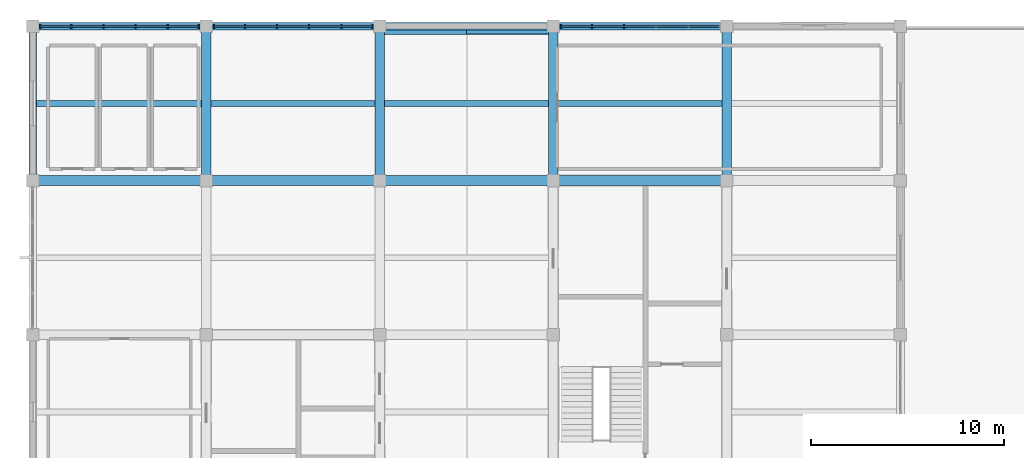
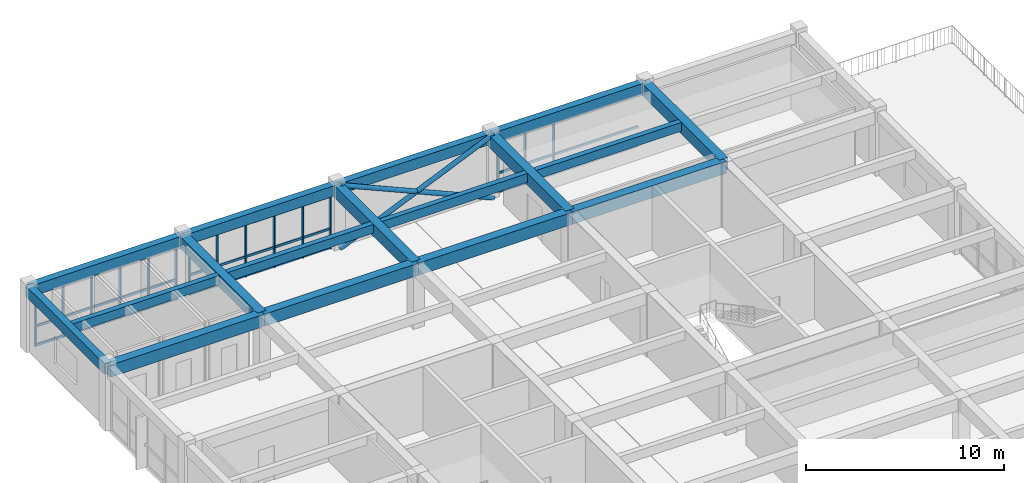
# One storey, part 5 of 12: 26 members, 17 beams, 3 elements without a shape of their own.
"""IFC4 building model written with IfcOpenShell, lengths in metres."""

import ifcopenshell
import ifcopenshell.guid

model = None  # the IFC model being written
_history = None  # IfcOwnerHistory: only IFC2X3 demands one
_inside = {}  # id of a spatial element -> (the spatial element, [elements in it])
_under = {}  # id of a project, library or spatial element -> (it, [spatial elements below it])
_declared = {}  # id of a project -> (the project, [libraries it declares])
_typed = {}  # id of a type object -> (the type object, [elements of that type])
_made_of = {}  # id of a material, layer set ... -> (it, [elements and type objects made of it])


def new_model(schema):
    """Start an empty IFC model of exactly this schema.

    Asked for "IFC4X3", IfcOpenShell would pick the latest addendum, in which some entities
    have other attributes; the version numbers below select the first issue.
    IFC2X3 requires an IfcOwnerHistory on every rooted entity: one is made here for all.
    """
    global model, _history
    if schema == "IFC4X3":
        model = ifcopenshell.file(schema_version=(4, 3, 0, 0))
    else:
        model = ifcopenshell.file(schema=schema)
    _inside.clear()
    _under.clear()
    _declared.clear()
    _typed.clear()
    _made_of.clear()
    _history = None
    if model.schema == "IFC2X3":
        org = make("IfcOrganization", Name="unknown")
        user = make(
            "IfcPersonAndOrganization",
            ThePerson=make("IfcPerson", FamilyName="unknown"),
            TheOrganization=org,
        )
        app = make(
            "IfcApplication",
            ApplicationDeveloper=org,
            Version="unknown",
            ApplicationFullName="unknown",
            ApplicationIdentifier="unknown",
        )
        _history = make(
            "IfcOwnerHistory",
            OwningUser=user,
            OwningApplication=app,
            ChangeAction="ADDED",
            CreationDate=0,
        )
    return model


def make(cls, **values):
    """One entity of the class cls with the attributes given. An attribute that is None is left unset."""
    return model.create_entity(
        cls, **{name: value for name, value in values.items() if value is not None}
    )


def rooted(cls, **values):
    """An entity with a GlobalId (a new one), such as an element, a storey or a relation."""
    return make(cls, GlobalId=ifcopenshell.guid.new(), OwnerHistory=_history, **values)


def si_unit(unit_type, name, prefix=None):
    """IfcSIUnit, for example si_unit("LENGTHUNIT", "METRE", prefix="MILLI")."""
    return make("IfcSIUnit", UnitType=unit_type, Prefix=prefix, Name=name)


def assignment(units):
    """IfcUnitAssignment: the units of a project."""
    return None if units is None else make("IfcUnitAssignment", Units=units)


def point(xyz):
    """IfcCartesianPoint."""
    return None if xyz is None else make("IfcCartesianPoint", Coordinates=xyz)


def direction(xyz):
    """IfcDirection."""
    return None if xyz is None else make("IfcDirection", DirectionRatios=xyz)


def frame(location, z_axis=None, x_axis=None):
    """IfcAxis2Placement3D, a coordinate frame: its origin and axes. An axis left out is left unset."""
    return make(
        "IfcAxis2Placement3D",
        Location=point(location),
        Axis=direction(z_axis),
        RefDirection=direction(x_axis),
    )


def frame_2d(location, x_axis=None):
    """IfcAxis2Placement2D, a coordinate frame in the plane: its origin and x axis."""
    return make(
        "IfcAxis2Placement2D", Location=point(location), RefDirection=direction(x_axis)
    )


def origin():
    """The frame at (0, 0, 0) with its axes left unset."""
    return frame((0.0, 0.0, 0.0))


def origin_2d():
    """The frame at (0, 0) in the plane with its x axis left unset."""
    return frame_2d((0.0, 0.0))


def place(relative_to, where):
    """IfcLocalPlacement: puts the frame where relative to a parent placement (None: the world)."""
    return make(
        "IfcLocalPlacement", PlacementRelTo=relative_to, RelativePlacement=where
    )


def context(
    kind, dimensions, precision=None, world=None, true_north=None, identifier=None
):
    """IfcGeometricRepresentationContext, for example the 3D "Model" context."""
    return make(
        "IfcGeometricRepresentationContext",
        ContextIdentifier=identifier,
        ContextType=kind,
        CoordinateSpaceDimension=dimensions,
        Precision=precision,
        WorldCoordinateSystem=world,
        TrueNorth=true_north,
    )


def subcontext(parent, identifier, kind, view, scale=None):
    """IfcGeometricRepresentationSubContext, for example "Body" below "Model"."""
    return make(
        "IfcGeometricRepresentationSubContext",
        ContextIdentifier=identifier,
        ContextType=kind,
        ParentContext=parent,
        TargetScale=scale,
        TargetView=view,
    )


def project(units=None, contexts=None):
    """IfcProject with its units and contexts."""
    return rooted(
        "IfcProject",
        Name="project",
        RepresentationContexts=contexts,
        UnitsInContext=assignment(units),
    )


def spatial(cls, under=None, at=None, **own):
    """A site, building, storey or space (cls), placed at a placement, below another one or the project."""
    s = rooted(cls, ObjectPlacement=at, **own)
    if under is not None:
        _under.setdefault(under.id(), (under, []))[1].append(s)
    return s


def profile(cls, at=None, kind="AREA", **sizes):
    """A parametric profile (cls). Its sizes go by their IFC names, for example OverallWidth=200.0."""
    return make(cls, ProfileType=kind, Position=at, **sizes)


def rectangle(**sizes):
    """IfcRectangleProfileDef."""
    return profile("IfcRectangleProfileDef", **sizes)


def hollow_circle(**sizes):
    """IfcCircleHollowProfileDef."""
    return profile("IfcCircleHollowProfileDef", **sizes)


def extrude(swept, where, along, depth):
    """IfcExtrudedAreaSolid: the profile swept, set in the frame where, extruded along a direction by depth."""
    return make(
        "IfcExtrudedAreaSolid",
        SweptArea=swept,
        Position=where,
        ExtrudedDirection=direction(along),
        Depth=depth,
    )


def shape(context_of_items, identifier, shape_type, items):
    """IfcShapeRepresentation: the items that make up one representation, for example the "Body"."""
    return make(
        "IfcShapeRepresentation",
        ContextOfItems=context_of_items,
        RepresentationIdentifier=identifier,
        RepresentationType=shape_type,
        Items=items,
    )


def material(Name=None, Category=None):
    """IfcMaterial."""
    return make("IfcMaterial", Name=Name, Category=Category)


def material_profile(
    of_material, cross_section, Name=None, Category=None, Priority=None
):
    """IfcMaterialProfile: a cross section and its material."""
    return make(
        "IfcMaterialProfile",
        Name=Name,
        Material=of_material,
        Profile=cross_section,
        Priority=Priority,
        Category=Category,
    )


def profile_set(profiles, Name=None, composite=None):
    """IfcMaterialProfileSet."""
    return make(
        "IfcMaterialProfileSet",
        Name=Name,
        MaterialProfiles=profiles,
        CompositeProfile=composite,
    )


def made_of(thing, what):
    """Note that an element or type object is made of a material, layer set ...; save() writes the relation."""
    if what is not None:
        _made_of.setdefault(what.id(), (what, []))[1].append(thing)
    return thing


def type_object(cls, material=None, **own):
    """A type object (cls), such as IfcWallType, which elements share."""
    return made_of(rooted(cls, **own), material)


def element(
    cls,
    number,
    at=None,
    inside=None,
    cuts=None,
    type_object=None,
    material=None,
    context=None,
    identifier="Body",
    shape_type=None,
    held_by="IfcProductDefinitionShape",
    body=None,
    shapes=None,
    **own,
):
    """One element of the class cls, such as IfcWall. Its Tag is "e" and its number.

    at: its placement. inside: the storey or other place that contains it. cuts: it is an
    opening in that element (IfcRelVoidsElement). A single representation is given by context,
    identifier, shape_type and body (its items); several are given by shapes. held_by: the class
    of the entity that holds the representations. save() writes the other relations.
    """
    e = rooted(cls, Tag="e%d" % number, ObjectPlacement=at, **own)
    if body is not None:
        shapes = [shape(context, identifier, shape_type, body)]
    if shapes is not None:
        e.Representation = make(held_by, Representations=shapes)
    if inside is not None:
        _inside.setdefault(inside.id(), (inside, []))[1].append(e)
    if cuts is not None:
        rooted(
            "IfcRelVoidsElement", RelatingBuildingElement=cuts, RelatedOpeningElement=e
        )
    if type_object is not None:
        _typed.setdefault(type_object.id(), (type_object, []))[1].append(e)
    return made_of(e, material)


def aggregate(whole, parts):
    """IfcRelAggregates: a whole, such as a stair, and the parts it consists of."""
    return rooted("IfcRelAggregates", RelatingObject=whole, RelatedObjects=parts)


def save(model, path):
    """Write the relations noted so far, then the file.

    IfcRelAggregates (storeys below a building ...), IfcRelContainedInSpatialStructure (elements
    in a storey), IfcRelDefinesByType, IfcRelAssociatesMaterial and IfcRelDeclares: one each for
    every whole, place, type object, material and project.
    """
    for whole, parts in _under.values():
        aggregate(whole, parts)
    for where, things in _inside.values():
        rooted(
            "IfcRelContainedInSpatialStructure",
            RelatedElements=things,
            RelatingStructure=where,
        )
    for kind, things in _typed.values():
        rooted("IfcRelDefinesByType", RelatedObjects=things, RelatingType=kind)
    for what, things in _made_of.values():
        rooted("IfcRelAssociatesMaterial", RelatedObjects=things, RelatingMaterial=what)
    for by, libraries in _declared.values():
        rooted("IfcRelDeclares", RelatingContext=by, RelatedDefinitions=libraries)
    model.write(path)


model = new_model("IFC4")

# Units and contexts
model_context = context("Model", 3, precision=1e-05, world=origin(), true_north=direction((0.0, 1.0)))
body_context = subcontext(model_context, "Body", "Model", "MODEL_VIEW")
ifc_project = project(units=[si_unit("LENGTHUNIT", "METRE"), si_unit("AREAUNIT", "SQUARE_METRE"), si_unit("VOLUMEUNIT", "CUBIC_METRE"), si_unit("PLANEANGLEUNIT", "RADIAN"), si_unit("MASSUNIT", "GRAM", prefix="KILO")], contexts=[model_context])

# Site, building, storey
site_placement = place(None, origin())
site = spatial("IfcSite", under=ifc_project, at=site_placement, CompositionType="ELEMENT")
building_placement = place(site_placement, origin())
building = spatial("IfcBuilding", under=site, at=building_placement, Name="Zaverband Oceanarium and Marine Research Institute", CompositionType="ELEMENT")
storey_placement = place(building_placement, frame((0.0, 0.0, 68.699951171875)))
storey = spatial("IfcBuildingStorey", under=building, at=storey_placement, Name="L17", CompositionType="ELEMENT", Elevation=68.699951171875)

# Beams
ifc_material_1 = material(Name="Concrete C40/50", Category="concrete")
ifc_material_profile_1 = material_profile(ifc_material_1, rectangle(XDim=0.5, YDim=0.75, at=origin_2d()), Name="RC500x750")
ifc_profile_set_1 = profile_set([ifc_material_profile_1], Name="Concrete C40/50")
beam_type_1 = type_object("IfcBeamType", Name="BM-500x750", PredefinedType="BEAM", material=ifc_profile_set_1)
for number, where, z_axis, x_axis, name in (
    (1, (9.0, 104.0, 3.56494140625), (1.0, 0.0, 0.0), (0.0, 1.0, 0.0), "Primary floor girder BM-500x750"),
    (2, (18.0, 104.0, 3.56494140625), (1.0, 0.0, 0.0), (0.0, 1.0, 0.0), "Primary floor girder BM-500x750"),
    (3, (27.0, 104.0, 3.56494140625), (1.0, 0.0, 0.0), (0.0, 1.0, 0.0), "Primary floor girder BM-500x750"),
    (4, (36.0, 104.0, 3.56494140625), (1.0, 0.0, 0.0), (0.0, 1.0, 0.0), "Primary floor girder BM-500x750"),
):
    element("IfcBeam", number, at=place(storey_placement, frame(where, z_axis=z_axis, x_axis=x_axis)), inside=storey, type_object=beam_type_1, Name=name, PredefinedType="BEAM", context=body_context, shape_type="SweptSolid", body=[
        extrude(rectangle(XDim=0.5, YDim=0.75, at=origin_2d()), origin(), (0.0, 0.0, 1.0), 9.0),
    ])
for number, where, z_axis, x_axis, name in (
    (5, (18.0, 104.0, 3.56494140625), (0.0, 1.0, 0.0), (-1.0, 0.0, 0.0), "Primary floor girder BM-500x750"),
    (6, (27.0, 104.0, 3.56494140625), (0.0, 1.0, 0.0), (-1.0, 0.0, 0.0), "Primary floor girder BM-500x750"),
    (7, (36.0, 104.0, 3.56494140625), (0.0, 1.0, 0.0), (-1.0, 0.0, 0.0), "Primary floor girder BM-500x750"),
    (8, (45.0, 104.0, 3.56494140625), (0.0, 1.0, 0.0), (-1.0, 0.0, 0.0), "Primary floor girder BM-500x750"),
):
    element("IfcBeam", number, at=place(storey_placement, frame(where, z_axis=z_axis, x_axis=x_axis)), inside=storey, type_object=beam_type_1, Name=name, PredefinedType="BEAM", context=body_context, shape_type="SweptSolid", body=[
        extrude(rectangle(XDim=0.5, YDim=0.75, at=origin_2d()), origin(), (0.0, 0.0, 1.0), 8.0),
    ])

# Members
ifc_material_2 = material(Name="Steel S355", Category="steel")
ifc_material_profile_2 = material_profile(ifc_material_2, hollow_circle(Radius=0.136474609375, WallThickness=0.010009765625, at=origin_2d()), Name="CHS273x10")
ifc_profile_set_2 = profile_set([ifc_material_profile_2], Name="Steel S355")
member_type_1 = type_object("IfcMemberType", Name="BR-01", PredefinedType="BRACE", material=ifc_profile_set_2)
for number, where, z_axis, x_axis, name in (
    (9, (27.0, 111.719970703125, 0.0), (0.916066059133, 0.0, 0.401027399693), (0.0, 1.0, 0.0), "Diagonal lateral brace BR-01"),
    (10, (36.0, 111.719970703125, 0.0), (-0.916066059133, 0.0, 0.401027399693), (0.0, -1.0, 0.0), "Diagonal lateral brace BR-01"),
):
    element("IfcMember", number, at=place(storey_placement, frame(where, z_axis=z_axis, x_axis=x_axis)), inside=storey, type_object=member_type_1, Name=name, PredefinedType="BRACE", context=body_context, shape_type="SweptSolid", body=[
        extrude(hollow_circle(Radius=0.136474609375, WallThickness=0.010009765625, at=origin_2d()), origin(), (0.0, 0.0, 1.0), 9.82470703125),
    ])

# Beams
ifc_material_profile_3 = material_profile(ifc_material_1, rectangle(XDim=0.300048828125, YDim=0.550048828125, at=origin_2d()), Name="RC300x550")
ifc_profile_set_3 = profile_set([ifc_material_profile_3], Name="Concrete C40/50")
beam_type_2 = type_object("IfcBeamType", Name="JST-300x550", PredefinedType="JOIST", material=ifc_profile_set_3)
beam_1_placement = place(storey_placement, frame((9.199951171875, 108.0, 3.6650390625), z_axis=(1.0, 0.0, 0.0), x_axis=(0.0, 1.0, 0.0)))
element("IfcBeam", 11, at=beam_1_placement, inside=storey, type_object=beam_type_2, Name="Secondary floor joist JST-300x550", PredefinedType="JOIST", context=body_context, shape_type="SweptSolid", body=[
    extrude(rectangle(XDim=0.300048828125, YDim=0.550048828125, at=origin_2d()), origin(), (0.0, 0.0, 1.0), 8.550048828125),
])
for number, where, z_axis, x_axis, name in (
    (12, (18.25, 108.0, 3.6650390625), (1.0, 0.0, 0.0), (0.0, 1.0, 0.0), "Secondary floor joist JST-300x550"),
    (13, (27.25, 108.0, 3.6650390625), (1.0, 0.0, 0.0), (0.0, 1.0, 0.0), "Secondary floor joist JST-300x550"),
    (14, (36.25, 108.0, 3.6650390625), (1.0, 0.0, 0.0), (0.0, 1.0, 0.0), "Secondary floor joist JST-300x550"),
):
    element("IfcBeam", number, at=place(storey_placement, frame(where, z_axis=z_axis, x_axis=x_axis)), inside=storey, type_object=beam_type_2, Name=name, PredefinedType="JOIST", context=body_context, shape_type="SweptSolid", body=[
        extrude(rectangle(XDim=0.300048828125, YDim=0.550048828125, at=origin_2d()), origin(), (0.0, 0.0, 1.0), 8.5),
    ])

# Curtain wall, members
ifc_material_3 = material(Name="Thermally broken anodized aluminium and solar-control glass", Category="aluminium")
curtain_wall_type = type_object("IfcCurtainWallType", Name="CW-UNIT-1800", PredefinedType="NOTDEFINED", material=ifc_material_3)
curtain_wall_1_placement = place(storey_placement, origin())
curtain_wall_1 = element("IfcCurtainWall", 15, at=curtain_wall_1_placement, inside=storey, type_object=curtain_wall_type, Name="Unitised glazed curtain wall CW-177", PredefinedType="NOTDEFINED")
ifc_material_4 = material(Name="Thermally broken anodized aluminium", Category="aluminium")
ifc_material_profile_4 = material_profile(ifc_material_4, rectangle(XDim=0.080078125, YDim=0.179931640625, at=origin_2d()), Name="AL-MUL-80x180")
ifc_profile_set_4 = profile_set([ifc_material_profile_4], Name="Thermally broken anodized aluminium")
member_type_2 = type_object("IfcMemberType", Name="MUL-80x180", PredefinedType="MULLION", material=ifc_profile_set_4)
member_1_placement = place(storey_placement, frame((9.389892578125, 112.0, 0.0), z_axis=(0.0, 0.0, 1.0), x_axis=(1.0, 0.0, 0.0)))
member_1 = element("IfcMember", 16, at=member_1_placement, type_object=member_type_2, Name="Curtain wall vertical mullion MUL-80x180", PredefinedType="MULLION", context=body_context, shape_type="SweptSolid", body=[
    extrude(rectangle(XDim=0.080078125, YDim=0.179931640625, at=origin_2d()), origin(), (0.0, 0.0, 1.0), 3.27001953125),
])
member_2_placement = place(storey_placement, frame((10.998046875, 112.0, 0.0), z_axis=(0.0, 0.0, 1.0), x_axis=(1.0, 0.0, 0.0)))
member_2 = element("IfcMember", 17, at=member_2_placement, type_object=member_type_2, Name="Curtain wall vertical mullion MUL-80x180", PredefinedType="MULLION", context=body_context, shape_type="SweptSolid", body=[
    extrude(rectangle(XDim=0.080078125, YDim=0.179931640625, at=origin_2d()), origin(), (0.0, 0.0, 1.0), 3.27001953125),
])
member_3_placement = place(storey_placement, frame((12.666015625, 112.0, 0.0), z_axis=(0.0, 0.0, 1.0), x_axis=(1.0, 0.0, 0.0)))
member_3 = element("IfcMember", 18, at=member_3_placement, type_object=member_type_2, Name="Curtain wall vertical mullion MUL-80x180", PredefinedType="MULLION", context=body_context, shape_type="SweptSolid", body=[
    extrude(rectangle(XDim=0.080078125, YDim=0.179931640625, at=origin_2d()), origin(), (0.0, 0.0, 1.0), 3.27001953125),
])
member_4_placement = place(storey_placement, frame((14.333984375, 112.0, 0.0), z_axis=(0.0, 0.0, 1.0), x_axis=(1.0, 0.0, 0.0)))
member_4 = element("IfcMember", 19, at=member_4_placement, type_object=member_type_2, Name="Curtain wall vertical mullion MUL-80x180", PredefinedType="MULLION", context=body_context, shape_type="SweptSolid", body=[
    extrude(rectangle(XDim=0.080078125, YDim=0.179931640625, at=origin_2d()), origin(), (0.0, 0.0, 1.0), 3.27001953125),
])
member_5_placement = place(storey_placement, frame((16.001953125, 112.0, 0.0), z_axis=(0.0, 0.0, 1.0), x_axis=(1.0, 0.0, 0.0)))
member_5 = element("IfcMember", 20, at=member_5_placement, type_object=member_type_2, Name="Curtain wall vertical mullion MUL-80x180", PredefinedType="MULLION", context=body_context, shape_type="SweptSolid", body=[
    extrude(rectangle(XDim=0.080078125, YDim=0.179931640625, at=origin_2d()), origin(), (0.0, 0.0, 1.0), 3.27001953125),
])
member_6_placement = place(storey_placement, frame((17.610107421875, 112.0, 0.0), z_axis=(0.0, 0.0, 1.0), x_axis=(1.0, 0.0, 0.0)))
member_6 = element("IfcMember", 21, at=member_6_placement, type_object=member_type_2, Name="Curtain wall vertical mullion MUL-80x180", PredefinedType="MULLION", context=body_context, shape_type="SweptSolid", body=[
    extrude(rectangle(XDim=0.080078125, YDim=0.179931640625, at=origin_2d()), origin(), (0.0, 0.0, 1.0), 3.27001953125),
])

curtain_wall_2_placement = place(storey_placement, origin())
curtain_wall_2 = element("IfcCurtainWall", 22, at=curtain_wall_2_placement, inside=storey, type_object=curtain_wall_type, Name="Unitised glazed curtain wall CW-178", PredefinedType="NOTDEFINED")
member_7_placement = place(storey_placement, frame((18.389892578125, 112.0, 0.0), z_axis=(0.0, 0.0, 1.0), x_axis=(1.0, 0.0, 0.0)))
member_7 = element("IfcMember", 23, at=member_7_placement, type_object=member_type_2, Name="Curtain wall vertical mullion MUL-80x180", PredefinedType="MULLION", context=body_context, shape_type="SweptSolid", body=[
    extrude(rectangle(XDim=0.080078125, YDim=0.179931640625, at=origin_2d()), origin(), (0.0, 0.0, 1.0), 3.27001953125),
])
member_8_placement = place(storey_placement, frame((19.998046875, 112.0, 0.0), z_axis=(0.0, 0.0, 1.0), x_axis=(1.0, 0.0, 0.0)))
member_8 = element("IfcMember", 24, at=member_8_placement, type_object=member_type_2, Name="Curtain wall vertical mullion MUL-80x180", PredefinedType="MULLION", context=body_context, shape_type="SweptSolid", body=[
    extrude(rectangle(XDim=0.080078125, YDim=0.179931640625, at=origin_2d()), origin(), (0.0, 0.0, 1.0), 3.27001953125),
])
member_9_placement = place(storey_placement, frame((21.666015625, 112.0, 0.0), z_axis=(0.0, 0.0, 1.0), x_axis=(1.0, 0.0, 0.0)))
member_9 = element("IfcMember", 25, at=member_9_placement, type_object=member_type_2, Name="Curtain wall vertical mullion MUL-80x180", PredefinedType="MULLION", context=body_context, shape_type="SweptSolid", body=[
    extrude(rectangle(XDim=0.080078125, YDim=0.179931640625, at=origin_2d()), origin(), (0.0, 0.0, 1.0), 3.27001953125),
])
member_10_placement = place(storey_placement, frame((23.333984375, 112.0, 0.0), z_axis=(0.0, 0.0, 1.0), x_axis=(1.0, 0.0, 0.0)))
member_10 = element("IfcMember", 26, at=member_10_placement, type_object=member_type_2, Name="Curtain wall vertical mullion MUL-80x180", PredefinedType="MULLION", context=body_context, shape_type="SweptSolid", body=[
    extrude(rectangle(XDim=0.080078125, YDim=0.179931640625, at=origin_2d()), origin(), (0.0, 0.0, 1.0), 3.27001953125),
])
member_11_placement = place(storey_placement, frame((25.001953125, 112.0, 0.0), z_axis=(0.0, 0.0, 1.0), x_axis=(1.0, 0.0, 0.0)))
member_11 = element("IfcMember", 27, at=member_11_placement, type_object=member_type_2, Name="Curtain wall vertical mullion MUL-80x180", PredefinedType="MULLION", context=body_context, shape_type="SweptSolid", body=[
    extrude(rectangle(XDim=0.080078125, YDim=0.179931640625, at=origin_2d()), origin(), (0.0, 0.0, 1.0), 3.27001953125),
])
member_12_placement = place(storey_placement, frame((26.610107421875, 112.0, 0.0), z_axis=(0.0, 0.0, 1.0), x_axis=(1.0, 0.0, 0.0)))
member_12 = element("IfcMember", 28, at=member_12_placement, type_object=member_type_2, Name="Curtain wall vertical mullion MUL-80x180", PredefinedType="MULLION", context=body_context, shape_type="SweptSolid", body=[
    extrude(rectangle(XDim=0.080078125, YDim=0.179931640625, at=origin_2d()), origin(), (0.0, 0.0, 1.0), 3.27001953125),
])

curtain_wall_3_placement = place(storey_placement, origin())
curtain_wall_3 = element("IfcCurtainWall", 29, at=curtain_wall_3_placement, inside=storey, type_object=curtain_wall_type, Name="Unitised glazed curtain wall CW-179", PredefinedType="NOTDEFINED")
member_13_placement = place(storey_placement, frame((36.389892578125, 112.0, 0.0), z_axis=(0.0, 0.0, 1.0), x_axis=(1.0, 0.0, 0.0)))
member_13 = element("IfcMember", 30, at=member_13_placement, type_object=member_type_2, Name="Curtain wall vertical mullion MUL-80x180", PredefinedType="MULLION", context=body_context, shape_type="SweptSolid", body=[
    extrude(rectangle(XDim=0.080078125, YDim=0.179931640625, at=origin_2d()), origin(), (0.0, 0.0, 1.0), 3.27001953125),
])
member_14_placement = place(storey_placement, frame((37.998046875, 112.0, 0.0), z_axis=(0.0, 0.0, 1.0), x_axis=(1.0, 0.0, 0.0)))
member_14 = element("IfcMember", 31, at=member_14_placement, type_object=member_type_2, Name="Curtain wall vertical mullion MUL-80x180", PredefinedType="MULLION", context=body_context, shape_type="SweptSolid", body=[
    extrude(rectangle(XDim=0.080078125, YDim=0.179931640625, at=origin_2d()), origin(), (0.0, 0.0, 1.0), 3.27001953125),
])
member_15_placement = place(storey_placement, frame((39.666015625, 112.0, 0.0), z_axis=(0.0, 0.0, 1.0), x_axis=(1.0, 0.0, 0.0)))
member_15 = element("IfcMember", 32, at=member_15_placement, type_object=member_type_2, Name="Curtain wall vertical mullion MUL-80x180", PredefinedType="MULLION", context=body_context, shape_type="SweptSolid", body=[
    extrude(rectangle(XDim=0.080078125, YDim=0.179931640625, at=origin_2d()), origin(), (0.0, 0.0, 1.0), 3.27001953125),
])

# Beams
ifc_material_profile_5 = material_profile(ifc_material_1, rectangle(XDim=0.39990234375, YDim=0.64990234375, at=origin_2d()), Name="RC400x650")
ifc_profile_set_5 = profile_set([ifc_material_profile_5], Name="Concrete C40/50")
beam_type_3 = type_object("IfcBeamType", Name="SPN-400x650", PredefinedType="SPANDREL", material=ifc_profile_set_5)
for number, where, z_axis, x_axis, name in (
    (33, (9.0, 112.0, 3.614990234375), (1.0, 0.0, 0.0), (0.0, 1.0, 0.0), "Perimeter spandrel beam SPN-400x650"),
    (34, (18.0, 112.0, 3.614990234375), (1.0, 0.0, 0.0), (0.0, 1.0, 0.0), "Perimeter spandrel beam SPN-400x650"),
    (35, (27.0, 112.0, 3.614990234375), (1.0, 0.0, 0.0), (0.0, 1.0, 0.0), "Perimeter spandrel beam SPN-400x650"),
    (36, (36.0, 112.0, 3.614990234375), (1.0, 0.0, 0.0), (0.0, 1.0, 0.0), "Perimeter spandrel beam SPN-400x650"),
):
    element("IfcBeam", number, at=place(storey_placement, frame(where, z_axis=z_axis, x_axis=x_axis)), inside=storey, type_object=beam_type_3, Name=name, PredefinedType="SPANDREL", context=body_context, shape_type="SweptSolid", body=[
        extrude(rectangle(XDim=0.39990234375, YDim=0.64990234375, at=origin_2d()), origin(), (0.0, 0.0, 1.0), 9.0),
    ])
beam_2_placement = place(storey_placement, frame((9.0, 104.0, 3.614990234375), z_axis=(0.0, 1.0, 0.0), x_axis=(-1.0, 0.0, 0.0)))
element("IfcBeam", 37, at=beam_2_placement, inside=storey, type_object=beam_type_3, Name="Perimeter spandrel beam SPN-400x650", PredefinedType="SPANDREL", context=body_context, shape_type="SweptSolid", body=[
    extrude(rectangle(XDim=0.39990234375, YDim=0.64990234375, at=origin_2d()), origin(), (0.0, 0.0, 1.0), 8.0),
])

# Member
ifc_material_profile_6 = material_profile(ifc_material_4, rectangle(XDim=0.080078125, YDim=0.139892578125, at=origin_2d()), Name="AL-TRN-80x140")
ifc_profile_set_6 = profile_set([ifc_material_profile_6], Name="Thermally broken anodized aluminium")
member_type_3 = type_object("IfcMemberType", Name="TRN-80x140", PredefinedType="USERDEFINED", material=ifc_profile_set_6)
member_16_placement = place(storey_placement, frame((9.389892578125, 112.0, 0.050048828125), z_axis=(1.0, 0.0, 0.0), x_axis=(0.0, 1.0, 0.0)))
member_16 = element("IfcMember", 38, at=member_16_placement, type_object=member_type_3, Name="Curtain wall horizontal transom TRN-80x140", ObjectType="TRANSOM", PredefinedType="USERDEFINED", context=body_context, shape_type="SweptSolid", body=[
    extrude(rectangle(XDim=0.080078125, YDim=0.139892578125, at=origin_2d()), origin(), (0.0, 0.0, 1.0), 8.22021484375),
])

member_17_placement = place(storey_placement, frame((9.389892578125, 112.0, 1.22412109375), z_axis=(1.0, 0.0, 0.0), x_axis=(0.0, 1.0, 0.0)))
member_17 = element("IfcMember", 39, at=member_17_placement, type_object=member_type_3, Name="Curtain wall horizontal transom TRN-80x140", ObjectType="TRANSOM", PredefinedType="USERDEFINED", context=body_context, shape_type="SweptSolid", body=[
    extrude(rectangle(XDim=0.080078125, YDim=0.139892578125, at=origin_2d()), origin(), (0.0, 0.0, 1.0), 8.22021484375),
])

member_18_placement = place(storey_placement, frame((9.389892578125, 112.0, 3.219970703125), z_axis=(1.0, 0.0, 0.0), x_axis=(0.0, 1.0, 0.0)))
member_18 = element("IfcMember", 40, at=member_18_placement, type_object=member_type_3, Name="Curtain wall horizontal transom TRN-80x140", ObjectType="TRANSOM", PredefinedType="USERDEFINED", context=body_context, shape_type="SweptSolid", body=[
    extrude(rectangle(XDim=0.080078125, YDim=0.139892578125, at=origin_2d()), origin(), (0.0, 0.0, 1.0), 8.22021484375),
])

aggregate(curtain_wall_1, [member_1, member_2, member_3, member_4, member_5, member_6, member_16, member_17, member_18])

member_19_placement = place(storey_placement, frame((18.389892578125, 112.0, 0.050048828125), z_axis=(1.0, 0.0, 0.0), x_axis=(0.0, 1.0, 0.0)))
member_19 = element("IfcMember", 41, at=member_19_placement, type_object=member_type_3, Name="Curtain wall horizontal transom TRN-80x140", ObjectType="TRANSOM", PredefinedType="USERDEFINED", context=body_context, shape_type="SweptSolid", body=[
    extrude(rectangle(XDim=0.080078125, YDim=0.139892578125, at=origin_2d()), origin(), (0.0, 0.0, 1.0), 8.22021484375),
])

member_20_placement = place(storey_placement, frame((18.389892578125, 112.0, 1.22412109375), z_axis=(1.0, 0.0, 0.0), x_axis=(0.0, 1.0, 0.0)))
member_20 = element("IfcMember", 42, at=member_20_placement, type_object=member_type_3, Name="Curtain wall horizontal transom TRN-80x140", ObjectType="TRANSOM", PredefinedType="USERDEFINED", context=body_context, shape_type="SweptSolid", body=[
    extrude(rectangle(XDim=0.080078125, YDim=0.139892578125, at=origin_2d()), origin(), (0.0, 0.0, 1.0), 8.22021484375),
])

member_21_placement = place(storey_placement, frame((18.389892578125, 112.0, 3.219970703125), z_axis=(1.0, 0.0, 0.0), x_axis=(0.0, 1.0, 0.0)))
member_21 = element("IfcMember", 43, at=member_21_placement, type_object=member_type_3, Name="Curtain wall horizontal transom TRN-80x140", ObjectType="TRANSOM", PredefinedType="USERDEFINED", context=body_context, shape_type="SweptSolid", body=[
    extrude(rectangle(XDim=0.080078125, YDim=0.139892578125, at=origin_2d()), origin(), (0.0, 0.0, 1.0), 8.22021484375),
])

aggregate(curtain_wall_2, [member_7, member_8, member_9, member_10, member_11, member_12, member_19, member_20, member_21])

member_22_placement = place(storey_placement, frame((36.389892578125, 112.0, 0.050048828125), z_axis=(1.0, 0.0, 0.0), x_axis=(0.0, 1.0, 0.0)))
member_22 = element("IfcMember", 44, at=member_22_placement, type_object=member_type_3, Name="Curtain wall horizontal transom TRN-80x140", ObjectType="TRANSOM", PredefinedType="USERDEFINED", context=body_context, shape_type="SweptSolid", body=[
    extrude(rectangle(XDim=0.080078125, YDim=0.139892578125, at=origin_2d()), origin(), (0.0, 0.0, 1.0), 8.22021484375),
])

member_23_placement = place(storey_placement, frame((36.389892578125, 112.0, 1.22412109375), z_axis=(1.0, 0.0, 0.0), x_axis=(0.0, 1.0, 0.0)))
member_23 = element("IfcMember", 45, at=member_23_placement, type_object=member_type_3, Name="Curtain wall horizontal transom TRN-80x140", ObjectType="TRANSOM", PredefinedType="USERDEFINED", context=body_context, shape_type="SweptSolid", body=[
    extrude(rectangle(XDim=0.080078125, YDim=0.139892578125, at=origin_2d()), origin(), (0.0, 0.0, 1.0), 8.22021484375),
])

member_24_placement = place(storey_placement, frame((36.389892578125, 112.0, 3.219970703125), z_axis=(1.0, 0.0, 0.0), x_axis=(0.0, 1.0, 0.0)))
member_24 = element("IfcMember", 46, at=member_24_placement, type_object=member_type_3, Name="Curtain wall horizontal transom TRN-80x140", ObjectType="TRANSOM", PredefinedType="USERDEFINED", context=body_context, shape_type="SweptSolid", body=[
    extrude(rectangle(XDim=0.080078125, YDim=0.139892578125, at=origin_2d()), origin(), (0.0, 0.0, 1.0), 8.22021484375),
])

aggregate(curtain_wall_3, [member_13, member_14, member_15, member_22, member_23, member_24])

save(model, "model.ifc")
